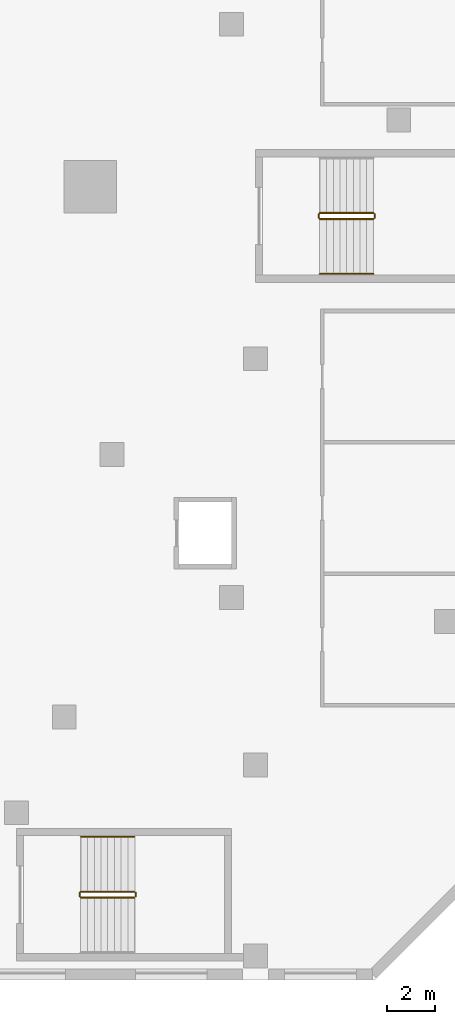
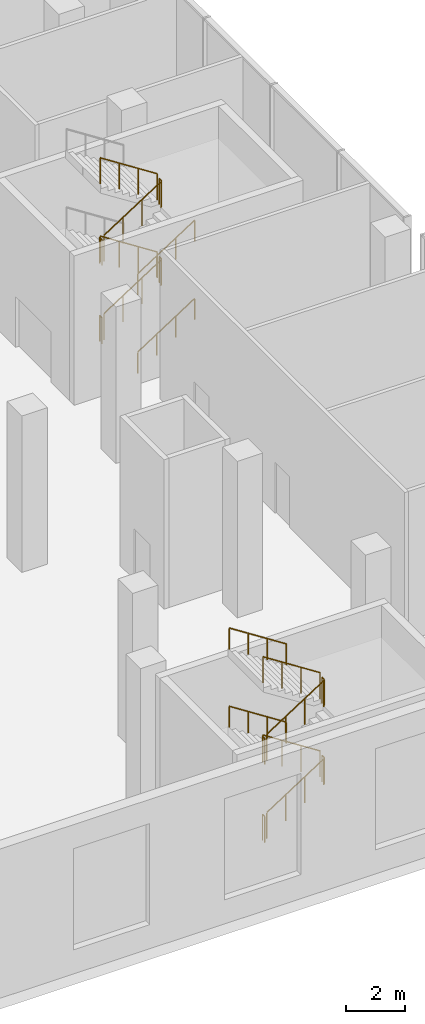
# One storey, part 26 of 30: 20 railings.
"""IFC4 building model written with IfcOpenShell, lengths in metres."""

from ifc_helpers import new_model, si_unit, direction, frame, origin, origin_2d, place, context, subcontext, project, spatial, circle, extrude, material, type_object, element, save


model = new_model("IFC4")

# Units and contexts
model_context = context("Model", 3, precision=1e-05, world=origin(), true_north=direction((0.0, 1.0)))
body_context = subcontext(model_context, "Body", "Model", "MODEL_VIEW")
ifc_project = project(units=[si_unit("LENGTHUNIT", "METRE"), si_unit("AREAUNIT", "SQUARE_METRE"), si_unit("VOLUMEUNIT", "CUBIC_METRE"), si_unit("PLANEANGLEUNIT", "RADIAN"), si_unit("MASSUNIT", "GRAM", prefix="KILO")], contexts=[model_context])

# Site, building, storey
site_placement = place(None, origin())
site = spatial("IfcSite", under=ifc_project, at=site_placement, CompositionType="ELEMENT")
building_placement = place(site_placement, origin())
building = spatial("IfcBuilding", under=site, at=building_placement, Name="Wharfspan Tower", CompositionType="ELEMENT")
storey_placement = place(building_placement, frame((0.0, 0.0, 15.0)))
storey = spatial("IfcBuildingStorey", under=building, at=storey_placement, Name="L02", CompositionType="ELEMENT", Elevation=15.0)

# Railings
ifc_material = material(Name="Steel S355J2", Category="steel")
railing_type_1 = type_object("IfcRailingType", Name="Podium guard 1100", PredefinedType="GUARDRAIL", material=ifc_material)
railing_1_placement = place(storey_placement, frame((89.699951, -28.550049, 0.180664)))
element("IfcRailing", 1, at=railing_1_placement, inside=storey, type_object=railing_type_1, Name="L02 AS2 stair guard 1", PredefinedType="GUARDRAIL", context=body_context, shape_type="SweptSolid", body=[
    extrude(circle(Radius=0.023926, at=origin_2d()), frame((0.0, 0.0, 1.076172), z_axis=(0.840437, 0.0, 0.54191), x_axis=(0.0, 1.0, 0.0)), (0.0, 0.0, 1.0), 2.665283),
    extrude(circle(Radius=0.020996, at=origin_2d()), origin(), (0.0, 0.0, 1.0), 1.052002),
    extrude(circle(Radius=0.020996, at=origin_2d()), frame((0.746582, 0.0, 0.481445)), (0.0, 0.0, 1.0), 1.052002),
    extrude(circle(Radius=0.020996, at=origin_2d()), frame((1.493408, 0.0, 0.962891)), (0.0, 0.0, 1.0), 1.052002),
    extrude(circle(Radius=0.020996, at=origin_2d()), frame((2.23999, 0.0, 1.444336)), (0.0, 0.0, 1.0), 1.052002),
])
railing_2_placement = place(storey_placement, frame((91.98999, -28.5, 1.625)))
element("IfcRailing", 2, at=railing_2_placement, inside=storey, type_object=railing_type_1, Name="L02 AS2 stair guard 2", PredefinedType="GUARDRAIL", context=body_context, shape_type="SweptSolid", body=[
    extrude(circle(Radius=0.023926, at=origin_2d()), frame((0.0, 0.0, 1.076172), z_axis=(0.0, 1.0, 0.0), x_axis=(-1.0, 0.0, 0.0)), (0.0, 0.0, 1.0), 0.149902),
    extrude(circle(Radius=0.020996, at=origin_2d()), origin(), (0.0, 0.0, 1.0), 1.052002),
    extrude(circle(Radius=0.020996, at=origin_2d()), frame((0.0, 0.149902, 0.0)), (0.0, 0.0, 1.0), 1.052002),
])
railing_3_placement = place(storey_placement, frame((91.939941, -28.300049, 1.805664)))
element("IfcRailing", 3, at=railing_3_placement, inside=storey, type_object=railing_type_1, Name="L02 AS2 stair guard 3", PredefinedType="GUARDRAIL", context=body_context, shape_type="SweptSolid", body=[
    extrude(circle(Radius=0.023926, at=origin_2d()), frame((0.0, 0.0, 1.076172), z_axis=(-0.840437, 0.0, 0.54191), x_axis=(0.0, -1.0, 0.0)), (0.0, 0.0, 1.0), 2.665283),
    extrude(circle(Radius=0.020996, at=origin_2d()), origin(), (0.0, 0.0, 1.0), 1.052002),
    extrude(circle(Radius=0.020996, at=origin_2d()), frame((-0.746582, 0.0, 0.481445)), (0.0, 0.0, 1.0), 1.052002),
    extrude(circle(Radius=0.020996, at=origin_2d()), frame((-1.493408, 0.0, 0.962891)), (0.0, 0.0, 1.0), 1.052002),
    extrude(circle(Radius=0.020996, at=origin_2d()), frame((-2.23999, 0.0, 1.444336)), (0.0, 0.0, 1.0), 1.052002),
])
railing_4_placement = place(storey_placement, frame((89.649902, -28.5, 3.25)))
element("IfcRailing", 4, at=railing_4_placement, inside=storey, type_object=railing_type_1, Name="L02 AS2 stair guard 4", PredefinedType="GUARDRAIL", context=body_context, shape_type="SweptSolid", body=[
    extrude(circle(Radius=0.023926, at=origin_2d()), frame((0.0, 0.0, 1.076172), z_axis=(0.0, 1.0, 0.0), x_axis=(-1.0, 0.0, 0.0)), (0.0, 0.0, 1.0), 0.149902),
    extrude(circle(Radius=0.020996, at=origin_2d()), origin(), (0.0, 0.0, 1.0), 1.052002),
    extrude(circle(Radius=0.020996, at=origin_2d()), frame((0.0, 0.149902, 0.0)), (0.0, 0.0, 1.0), 1.052002),
])
railing_5_placement = place(storey_placement, frame((89.699951, -28.550049, 3.430664)))
element("IfcRailing", 5, at=railing_5_placement, inside=storey, type_object=railing_type_1, Name="L02 AS2 stair guard 5", PredefinedType="GUARDRAIL", context=body_context, shape_type="SweptSolid", body=[
    extrude(circle(Radius=0.023926, at=origin_2d()), frame((0.0, 0.0, 1.076172), z_axis=(0.840437, 0.0, 0.54191), x_axis=(0.0, 1.0, 0.0)), (0.0, 0.0, 1.0), 2.665283),
    extrude(circle(Radius=0.020996, at=origin_2d()), origin(), (0.0, 0.0, 1.0), 1.052002),
    extrude(circle(Radius=0.020996, at=origin_2d()), frame((0.746582, 0.0, 0.481445)), (0.0, 0.0, 1.0), 1.052002),
    extrude(circle(Radius=0.020996, at=origin_2d()), frame((1.493408, 0.0, 0.962891)), (0.0, 0.0, 1.0), 1.052002),
    extrude(circle(Radius=0.020996, at=origin_2d()), frame((2.23999, 0.0, 1.444336)), (0.0, 0.0, 1.0), 1.052002),
])
railing_6_placement = place(storey_placement, frame((91.98999, -28.5, 4.875)))
element("IfcRailing", 6, at=railing_6_placement, inside=storey, type_object=railing_type_1, Name="L02 AS2 stair guard 6", PredefinedType="GUARDRAIL", context=body_context, shape_type="SweptSolid", body=[
    extrude(circle(Radius=0.023926, at=origin_2d()), frame((0.0, 0.0, 1.076172), z_axis=(0.0, 1.0, 0.0), x_axis=(-1.0, 0.0, 0.0)), (0.0, 0.0, 1.0), 0.149902),
    extrude(circle(Radius=0.020996, at=origin_2d()), origin(), (0.0, 0.0, 1.0), 1.052002),
    extrude(circle(Radius=0.020996, at=origin_2d()), frame((0.0, 0.149902, 0.0)), (0.0, 0.0, 1.0), 1.052002),
])
railing_7_placement = place(storey_placement, frame((91.939941, -28.300049, 5.055664)))
element("IfcRailing", 7, at=railing_7_placement, inside=storey, type_object=railing_type_1, Name="L02 AS2 stair guard 7", PredefinedType="GUARDRAIL", context=body_context, shape_type="SweptSolid", body=[
    extrude(circle(Radius=0.023926, at=origin_2d()), frame((0.0, 0.0, 1.076172), z_axis=(-0.840437, 0.0, 0.54191), x_axis=(0.0, -1.0, 0.0)), (0.0, 0.0, 1.0), 2.665283),
    extrude(circle(Radius=0.020996, at=origin_2d()), origin(), (0.0, 0.0, 1.0), 1.052002),
    extrude(circle(Radius=0.020996, at=origin_2d()), frame((-0.746582, 0.0, 0.481445)), (0.0, 0.0, 1.0), 1.052002),
    extrude(circle(Radius=0.020996, at=origin_2d()), frame((-1.493408, 0.0, 0.962891)), (0.0, 0.0, 1.0), 1.052002),
    extrude(circle(Radius=0.020996, at=origin_2d()), frame((-2.23999, 0.0, 1.444336)), (0.0, 0.0, 1.0), 1.052002),
])
railing_8_placement = place(storey_placement, frame((89.649902, -28.5, 0.0)))
element("IfcRailing", 8, at=railing_8_placement, inside=storey, type_object=railing_type_1, Name="L02 AS2 stair guard 8", PredefinedType="GUARDRAIL", context=body_context, shape_type="SweptSolid", body=[
    extrude(circle(Radius=0.023926, at=origin_2d()), frame((0.0, 0.0, 1.076172), z_axis=(0.0, 1.0, 0.0), x_axis=(-1.0, 0.0, 0.0)), (0.0, 0.0, 1.0), 0.149902),
    extrude(circle(Radius=0.020996, at=origin_2d()), origin(), (0.0, 0.0, 1.0), 1.052002),
    extrude(circle(Radius=0.020996, at=origin_2d()), frame((0.0, 0.149902, 0.0)), (0.0, 0.0, 1.0), 1.052002),
])
railing_9_placement = place(storey_placement, frame((99.699951, -0.149902, 0.180664)))
element("IfcRailing", 9, at=railing_9_placement, inside=storey, type_object=railing_type_1, Name="L02 AS8 stair guard 1", PredefinedType="GUARDRAIL", context=body_context, shape_type="SweptSolid", body=[
    extrude(circle(Radius=0.023926, at=origin_2d()), frame((0.0, 0.0, 1.076172), z_axis=(0.840437, 0.0, 0.54191), x_axis=(0.0, 1.0, 0.0)), (0.0, 0.0, 1.0), 2.665283),
    extrude(circle(Radius=0.020996, at=origin_2d()), origin(), (0.0, 0.0, 1.0), 1.052002),
    extrude(circle(Radius=0.020996, at=origin_2d()), frame((0.746582, 0.0, 0.481445)), (0.0, 0.0, 1.0), 1.052002),
    extrude(circle(Radius=0.020996, at=origin_2d()), frame((1.493408, 0.0, 0.962891)), (0.0, 0.0, 1.0), 1.052002),
    extrude(circle(Radius=0.020996, at=origin_2d()), frame((2.23999, 0.0, 1.444336)), (0.0, 0.0, 1.0), 1.052002),
])
railing_10_placement = place(storey_placement, frame((101.98999, -0.100098, 1.625)))
element("IfcRailing", 10, at=railing_10_placement, inside=storey, type_object=railing_type_1, Name="L02 AS8 stair guard 2", PredefinedType="GUARDRAIL", context=body_context, shape_type="SweptSolid", body=[
    extrude(circle(Radius=0.023926, at=origin_2d()), frame((0.0, 0.0, 1.076172), z_axis=(0.0, 1.0, 0.0), x_axis=(-1.0, 0.0, 0.0)), (0.0, 0.0, 1.0), 0.150146),
    extrude(circle(Radius=0.020996, at=origin_2d()), origin(), (0.0, 0.0, 1.0), 1.052002),
    extrude(circle(Radius=0.020996, at=origin_2d()), frame((0.0, 0.150146, 0.0)), (0.0, 0.0, 1.0), 1.052002),
])
railing_11_placement = place(storey_placement, frame((101.939941, 0.100098, 1.805664)))
element("IfcRailing", 11, at=railing_11_placement, inside=storey, type_object=railing_type_1, Name="L02 AS8 stair guard 3", PredefinedType="GUARDRAIL", context=body_context, shape_type="SweptSolid", body=[
    extrude(circle(Radius=0.023926, at=origin_2d()), frame((0.0, 0.0, 1.076172), z_axis=(-0.840437, 0.0, 0.54191), x_axis=(0.0, -1.0, 0.0)), (0.0, 0.0, 1.0), 2.665283),
    extrude(circle(Radius=0.020996, at=origin_2d()), origin(), (0.0, 0.0, 1.0), 1.052002),
    extrude(circle(Radius=0.020996, at=origin_2d()), frame((-0.746582, 0.0, 0.481445)), (0.0, 0.0, 1.0), 1.052002),
    extrude(circle(Radius=0.020996, at=origin_2d()), frame((-1.493408, 0.0, 0.962891)), (0.0, 0.0, 1.0), 1.052002),
    extrude(circle(Radius=0.020996, at=origin_2d()), frame((-2.23999, 0.0, 1.444336)), (0.0, 0.0, 1.0), 1.052002),
])
railing_12_placement = place(storey_placement, frame((99.649902, -0.100098, 3.25)))
element("IfcRailing", 12, at=railing_12_placement, inside=storey, type_object=railing_type_1, Name="L02 AS8 stair guard 4", PredefinedType="GUARDRAIL", context=body_context, shape_type="SweptSolid", body=[
    extrude(circle(Radius=0.023926, at=origin_2d()), frame((0.0, 0.0, 1.076172), z_axis=(0.0, 1.0, 0.0), x_axis=(-1.0, 0.0, 0.0)), (0.0, 0.0, 1.0), 0.150146),
    extrude(circle(Radius=0.020996, at=origin_2d()), origin(), (0.0, 0.0, 1.0), 1.052002),
    extrude(circle(Radius=0.020996, at=origin_2d()), frame((0.0, 0.150146, 0.0)), (0.0, 0.0, 1.0), 1.052002),
])
railing_13_placement = place(storey_placement, frame((99.699951, -0.149902, 3.430664)))
element("IfcRailing", 13, at=railing_13_placement, inside=storey, type_object=railing_type_1, Name="L02 AS8 stair guard 5", PredefinedType="GUARDRAIL", context=body_context, shape_type="SweptSolid", body=[
    extrude(circle(Radius=0.023926, at=origin_2d()), frame((0.0, 0.0, 1.076172), z_axis=(0.840437, 0.0, 0.54191), x_axis=(0.0, 1.0, 0.0)), (0.0, 0.0, 1.0), 2.665283),
    extrude(circle(Radius=0.020996, at=origin_2d()), origin(), (0.0, 0.0, 1.0), 1.052002),
    extrude(circle(Radius=0.020996, at=origin_2d()), frame((0.746582, 0.0, 0.481445)), (0.0, 0.0, 1.0), 1.052002),
    extrude(circle(Radius=0.020996, at=origin_2d()), frame((1.493408, 0.0, 0.962891)), (0.0, 0.0, 1.0), 1.052002),
    extrude(circle(Radius=0.020996, at=origin_2d()), frame((2.23999, 0.0, 1.444336)), (0.0, 0.0, 1.0), 1.052002),
])
railing_14_placement = place(storey_placement, frame((101.98999, -0.100098, 4.875)))
element("IfcRailing", 14, at=railing_14_placement, inside=storey, type_object=railing_type_1, Name="L02 AS8 stair guard 6", PredefinedType="GUARDRAIL", context=body_context, shape_type="SweptSolid", body=[
    extrude(circle(Radius=0.023926, at=origin_2d()), frame((0.0, 0.0, 1.076172), z_axis=(0.0, 1.0, 0.0), x_axis=(-1.0, 0.0, 0.0)), (0.0, 0.0, 1.0), 0.150146),
    extrude(circle(Radius=0.020996, at=origin_2d()), origin(), (0.0, 0.0, 1.0), 1.052002),
    extrude(circle(Radius=0.020996, at=origin_2d()), frame((0.0, 0.150146, 0.0)), (0.0, 0.0, 1.0), 1.052002),
])
railing_15_placement = place(storey_placement, frame((101.939941, 0.100098, 5.055664)))
element("IfcRailing", 15, at=railing_15_placement, inside=storey, type_object=railing_type_1, Name="L02 AS8 stair guard 7", PredefinedType="GUARDRAIL", context=body_context, shape_type="SweptSolid", body=[
    extrude(circle(Radius=0.023926, at=origin_2d()), frame((0.0, 0.0, 1.076172), z_axis=(-0.840437, 0.0, 0.54191), x_axis=(0.0, -1.0, 0.0)), (0.0, 0.0, 1.0), 2.665283),
    extrude(circle(Radius=0.020996, at=origin_2d()), origin(), (0.0, 0.0, 1.0), 1.052002),
    extrude(circle(Radius=0.020996, at=origin_2d()), frame((-0.746582, 0.0, 0.481445)), (0.0, 0.0, 1.0), 1.052002),
    extrude(circle(Radius=0.020996, at=origin_2d()), frame((-1.493408, 0.0, 0.962891)), (0.0, 0.0, 1.0), 1.052002),
    extrude(circle(Radius=0.020996, at=origin_2d()), frame((-2.23999, 0.0, 1.444336)), (0.0, 0.0, 1.0), 1.052002),
])
railing_16_placement = place(storey_placement, frame((99.649902, -0.100098, 0.0)))
element("IfcRailing", 16, at=railing_16_placement, inside=storey, type_object=railing_type_1, Name="L02 AS8 stair guard 8", PredefinedType="GUARDRAIL", context=body_context, shape_type="SweptSolid", body=[
    extrude(circle(Radius=0.023926, at=origin_2d()), frame((0.0, 0.0, 1.076172), z_axis=(0.0, 1.0, 0.0), x_axis=(-1.0, 0.0, 0.0)), (0.0, 0.0, 1.0), 0.150146),
    extrude(circle(Radius=0.020996, at=origin_2d()), origin(), (0.0, 0.0, 1.0), 1.052002),
    extrude(circle(Radius=0.020996, at=origin_2d()), frame((0.0, 0.150146, 0.0)), (0.0, 0.0, 1.0), 1.052002),
])
railing_type_2 = type_object("IfcRailingType", Name="Podium stair handrail 900", PredefinedType="HANDRAIL", material=ifc_material)
for number, where, name in (
    (17, (91.939941, -26.0, 1.805664), "L02 AS2 stair handrail 2"),
    (18, (91.939941, -26.0, 5.055664), "L02 AS2 stair handrail 4"),
):
    element("IfcRailing", number, at=place(storey_placement, frame(where)), inside=storey, type_object=railing_type_2, Name=name, PredefinedType="HANDRAIL", context=body_context, shape_type="SweptSolid", body=[
        extrude(circle(Radius=0.023926, at=origin_2d()), frame((0.0, 0.0, 0.875977), z_axis=(-0.840437, 0.0, 0.54191), x_axis=(0.0, -1.0, 0.0)), (0.0, 0.0, 1.0), 2.665283),
        extrude(circle(Radius=0.020996, at=origin_2d()), origin(), (0.0, 0.0, 1.0), 0.851807),
        extrude(circle(Radius=0.020996, at=origin_2d()), frame((-0.746582, 0.0, 0.481445)), (0.0, 0.0, 1.0), 0.851807),
        extrude(circle(Radius=0.020996, at=origin_2d()), frame((-1.493408, 0.0, 0.962891)), (0.0, 0.0, 1.0), 0.851807),
        extrude(circle(Radius=0.020996, at=origin_2d()), frame((-2.23999, 0.0, 1.444336)), (0.0, 0.0, 1.0), 0.851807),
    ])
for number, where, name in (
    (19, (99.699951, -2.449951, 0.180664), "L02 AS8 stair handrail 1"),
    (20, (99.699951, -2.449951, 3.430664), "L02 AS8 stair handrail 3"),
):
    element("IfcRailing", number, at=place(storey_placement, frame(where)), inside=storey, type_object=railing_type_2, Name=name, PredefinedType="HANDRAIL", context=body_context, shape_type="SweptSolid", body=[
        extrude(circle(Radius=0.023926, at=origin_2d()), frame((0.0, 0.0, 0.875977), z_axis=(0.840437, 0.0, 0.54191), x_axis=(0.0, 1.0, 0.0)), (0.0, 0.0, 1.0), 2.665283),
        extrude(circle(Radius=0.020996, at=origin_2d()), origin(), (0.0, 0.0, 1.0), 0.851807),
        extrude(circle(Radius=0.020996, at=origin_2d()), frame((0.746582, 0.0, 0.481445)), (0.0, 0.0, 1.0), 0.851807),
        extrude(circle(Radius=0.020996, at=origin_2d()), frame((1.493408, 0.0, 0.962891)), (0.0, 0.0, 1.0), 0.851807),
        extrude(circle(Radius=0.020996, at=origin_2d()), frame((2.23999, 0.0, 1.444336)), (0.0, 0.0, 1.0), 0.851807),
    ])

save(model, "model.ifc")
